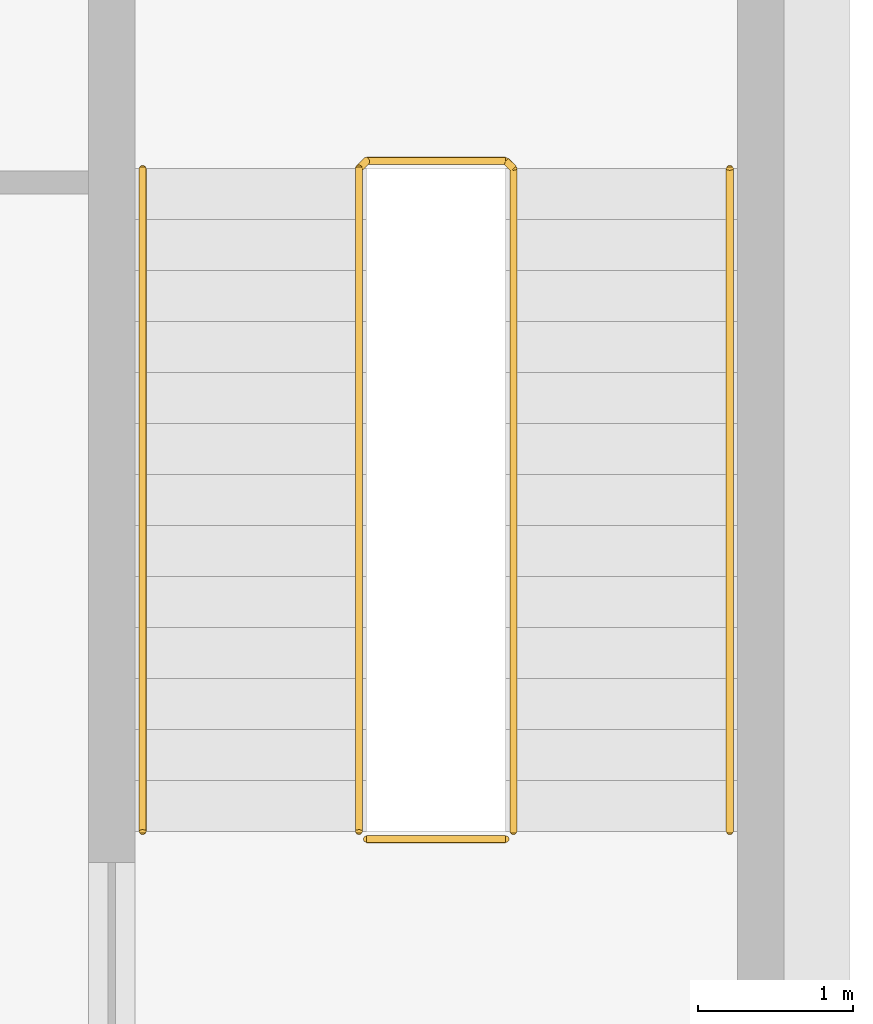
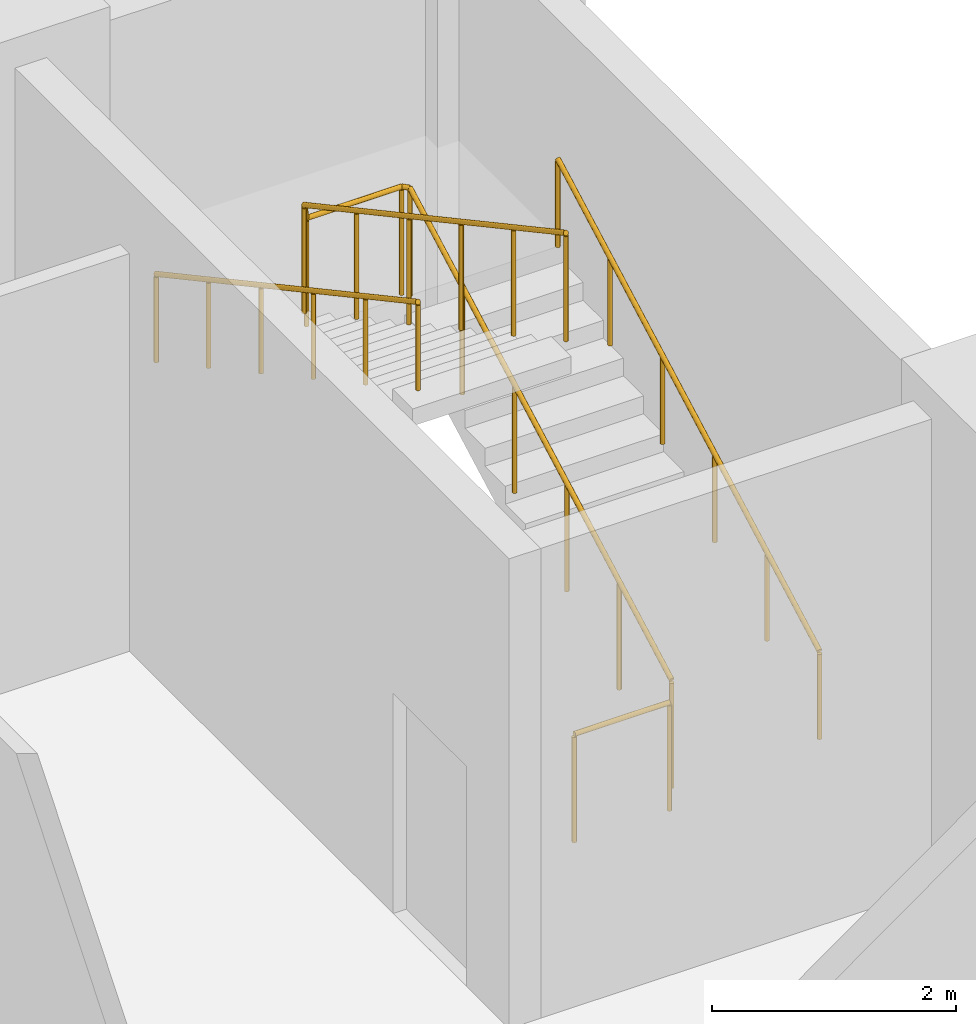
# One storey, part 17 of 17: 4 railings.
"""IFC4 building model written with IfcOpenShell, lengths in metres."""

from ifc_helpers import new_model, si_unit, direction, frame, origin, origin_2d, place, context, subcontext, project, spatial, circle, extrude, material, type_object, element, save


model = new_model("IFC4")

# Units and contexts
model_context = context("Model", 3, precision=1e-05, world=origin(), true_north=direction((0.0, 1.0)))
body_context = subcontext(model_context, "Body", "Model", "MODEL_VIEW")
ifc_project = project(units=[si_unit("LENGTHUNIT", "METRE"), si_unit("AREAUNIT", "SQUARE_METRE"), si_unit("VOLUMEUNIT", "CUBIC_METRE"), si_unit("PLANEANGLEUNIT", "RADIAN"), si_unit("MASSUNIT", "GRAM", prefix="KILO")], contexts=[model_context])

# Site, building, storey
site_placement = place(None, origin())
site = spatial("IfcSite", under=ifc_project, at=site_placement, CompositionType="ELEMENT")
building_placement = place(site_placement, origin())
building = spatial("IfcBuilding", under=site, at=building_placement, Name="Brondeck Convention Tower", CompositionType="ELEMENT")
storey_placement = place(building_placement, frame((0.0, 0.0, 14.5)))
storey = spatial("IfcBuildingStorey", under=building, at=storey_placement, Name="L02", CompositionType="ELEMENT", Elevation=14.5)

# Railings
ifc_material = material(Name="Steel S355", Category="steel")
railing_type_1 = type_object("IfcRailingType", Name="Stair guard 1100", PredefinedType="GUARDRAIL", material=ifc_material)
railing_1_placement = place(storey_placement, frame((70.050048828125, 51.800048828125, 0.178466796875)))
element("IfcRailing", 1, at=railing_1_placement, inside=storey, type_object=railing_type_1, Name="L02 PS-1 stair guard 1", PredefinedType="GUARDRAIL", context=body_context, shape_type="SweptSolid", body=[
    extrude(circle(Radius=0.02392578125, at=origin_2d()), frame((0.0, 0.0, 1.076171875), z_axis=(0.0, 0.87948403443, 0.475928390814), x_axis=(-1.0, 0.0, 0.0)), (0.0, 0.0, 1.0), 4.8779296875),
    extrude(circle(Radius=0.02392578125, at=origin_2d()), frame((0.0, 4.2900390625, 3.3974609375), z_axis=(-0.708833529934, 0.705375805398, 0.0), x_axis=(-0.705375805398, -0.708833529934, 0.0)), (0.0, 0.0, 1.0), 0.070556640625),
    extrude(circle(Radius=0.02392578125, at=origin_2d()), frame((-0.050048828125, 4.33984375, 3.3974609375), z_axis=(-1.0, 0.0, 0.0), x_axis=(0.0, -1.0, 0.0)), (0.0, 0.0, 1.0), 0.89990234375),
    extrude(circle(Radius=0.02392578125, at=origin_2d()), frame((-0.949951171875, 4.33984375, 3.3974609375), z_axis=(-0.26077077684, -0.25949872427, 0.929870428634), x_axis=(0.705375805398, -0.708833529934, 0.0)), (0.0, 0.0, 1.0), 0.19189453125),
    extrude(circle(Radius=0.02392578125, at=origin_2d()), frame((-1.0, 4.2900390625, 3.576171875), z_axis=(0.0, -0.87948403443, 0.475928390814), x_axis=(1.0, 0.0, 0.0)), (0.0, 0.0, 1.0), 4.8779296875),
    extrude(circle(Radius=0.02099609375, at=origin_2d()), origin(), (0.0, 0.0, 1.0), 1.052001953125),
    extrude(circle(Radius=0.02099609375, at=origin_2d()), frame((0.0, 0.85791015625, 0.46435546875)), (0.0, 0.0, 1.0), 1.052001953125),
    extrude(circle(Radius=0.02099609375, at=origin_2d()), frame((0.0, 1.716064453125, 0.9287109375)), (0.0, 0.0, 1.0), 1.052001953125),
    extrude(circle(Radius=0.02099609375, at=origin_2d()), frame((0.0, 2.573974609375, 1.392822265625)), (0.0, 0.0, 1.0), 1.052001953125),
    extrude(circle(Radius=0.02099609375, at=origin_2d()), frame((0.0, 3.43212890625, 1.857177734375)), (0.0, 0.0, 1.0), 1.052001953125),
    extrude(circle(Radius=0.02099609375, at=origin_2d()), frame((0.0, 4.2900390625, 2.321533203125)), (0.0, 0.0, 1.0), 1.052001953125),
    extrude(circle(Radius=0.02099609375, at=origin_2d()), frame((-0.050048828125, 4.33984375, 2.321533203125)), (0.0, 0.0, 1.0), 1.052001953125),
    extrude(circle(Radius=0.02099609375, at=origin_2d()), frame((-0.949951171875, 4.33984375, 2.321533203125)), (0.0, 0.0, 1.0), 1.052001953125),
    extrude(circle(Radius=0.02099609375, at=origin_2d()), frame((-1.0, 4.2900390625, 2.5)), (0.0, 0.0, 1.0), 1.052001953125),
    extrude(circle(Radius=0.02099609375, at=origin_2d()), frame((-1.0, 3.43212890625, 2.96435546875)), (0.0, 0.0, 1.0), 1.052001953125),
    extrude(circle(Radius=0.02099609375, at=origin_2d()), frame((-1.0, 2.573974609375, 3.4287109375)), (0.0, 0.0, 1.0), 1.052001953125),
    extrude(circle(Radius=0.02099609375, at=origin_2d()), frame((-1.0, 1.716064453125, 3.892822265625)), (0.0, 0.0, 1.0), 1.052001953125),
    extrude(circle(Radius=0.02099609375, at=origin_2d()), frame((-1.0, 0.85791015625, 4.357177734375)), (0.0, 0.0, 1.0), 1.052001953125),
    extrude(circle(Radius=0.02099609375, at=origin_2d()), frame((-1.0, 0.0, 4.821533203125)), (0.0, 0.0, 1.0), 1.052001953125),
])
railing_2_placement = place(storey_placement, frame((70.0, 51.75, 0.0)))
element("IfcRailing", 2, at=railing_2_placement, inside=storey, type_object=railing_type_1, Name="L02 PS-1 stair guard 2", PredefinedType="GUARDRAIL", context=body_context, shape_type="SweptSolid", body=[
    extrude(circle(Radius=0.02392578125, at=origin_2d()), frame((0.0, 0.0, 1.076171875), z_axis=(-1.0, 0.0, 0.0), x_axis=(0.0, -1.0, 0.0)), (0.0, 0.0, 1.0), 0.89990234375),
    extrude(circle(Radius=0.02099609375, at=origin_2d()), origin(), (0.0, 0.0, 1.0), 1.052001953125),
    extrude(circle(Radius=0.02099609375, at=origin_2d()), frame((-0.89990234375, 0.0, 0.0)), (0.0, 0.0, 1.0), 1.052001953125),
])
railing_type_2 = type_object("IfcRailingType", Name="Stair handrail", PredefinedType="HANDRAIL", material=ifc_material)
railing_3_placement = place(storey_placement, frame((71.449951171875, 51.800048828125, 0.178466796875)))
element("IfcRailing", 3, at=railing_3_placement, inside=storey, type_object=railing_type_2, Name="L02 PS-1 stair handrail 1", PredefinedType="HANDRAIL", context=body_context, shape_type="SweptSolid", body=[
    extrude(circle(Radius=0.02392578125, at=origin_2d()), frame((0.0, 0.0, 0.8759765625), z_axis=(0.0, 0.87948403443, 0.475928390814), x_axis=(-1.0, 0.0, 0.0)), (0.0, 0.0, 1.0), 4.8779296875),
    extrude(circle(Radius=0.02099609375, at=origin_2d()), origin(), (0.0, 0.0, 1.0), 0.851806640625),
    extrude(circle(Radius=0.02099609375, at=origin_2d()), frame((0.0, 0.85791015625, 0.46435546875)), (0.0, 0.0, 1.0), 0.851806640625),
    extrude(circle(Radius=0.02099609375, at=origin_2d()), frame((0.0, 1.716064453125, 0.9287109375)), (0.0, 0.0, 1.0), 0.851806640625),
    extrude(circle(Radius=0.02099609375, at=origin_2d()), frame((0.0, 2.573974609375, 1.392822265625)), (0.0, 0.0, 1.0), 0.851806640625),
    extrude(circle(Radius=0.02099609375, at=origin_2d()), frame((0.0, 3.43212890625, 1.857177734375)), (0.0, 0.0, 1.0), 0.851806640625),
    extrude(circle(Radius=0.02099609375, at=origin_2d()), frame((0.0, 4.2900390625, 2.321533203125)), (0.0, 0.0, 1.0), 0.851806640625),
])
railing_4_placement = place(storey_placement, frame((67.64990234375, 56.090087890625, 2.678466796875)))
element("IfcRailing", 4, at=railing_4_placement, inside=storey, type_object=railing_type_2, Name="L02 PS-1 stair handrail 2", PredefinedType="HANDRAIL", context=body_context, shape_type="SweptSolid", body=[
    extrude(circle(Radius=0.02392578125, at=origin_2d()), frame((0.0, 0.0, 0.8759765625), z_axis=(0.0, -0.87948403443, 0.475928390814), x_axis=(1.0, 0.0, 0.0)), (0.0, 0.0, 1.0), 4.8779296875),
    extrude(circle(Radius=0.02099609375, at=origin_2d()), origin(), (0.0, 0.0, 1.0), 0.851806640625),
    extrude(circle(Radius=0.02099609375, at=origin_2d()), frame((0.0, -0.85791015625, 0.46435546875)), (0.0, 0.0, 1.0), 0.851806640625),
    extrude(circle(Radius=0.02099609375, at=origin_2d()), frame((0.0, -1.716064453125, 0.9287109375)), (0.0, 0.0, 1.0), 0.851806640625),
    extrude(circle(Radius=0.02099609375, at=origin_2d()), frame((0.0, -2.573974609375, 1.392822265625)), (0.0, 0.0, 1.0), 0.851806640625),
    extrude(circle(Radius=0.02099609375, at=origin_2d()), frame((0.0, -3.43212890625, 1.857177734375)), (0.0, 0.0, 1.0), 0.851806640625),
    extrude(circle(Radius=0.02099609375, at=origin_2d()), frame((0.0, -4.2900390625, 2.321533203125)), (0.0, 0.0, 1.0), 0.851806640625),
])

save(model, "model.ifc")
